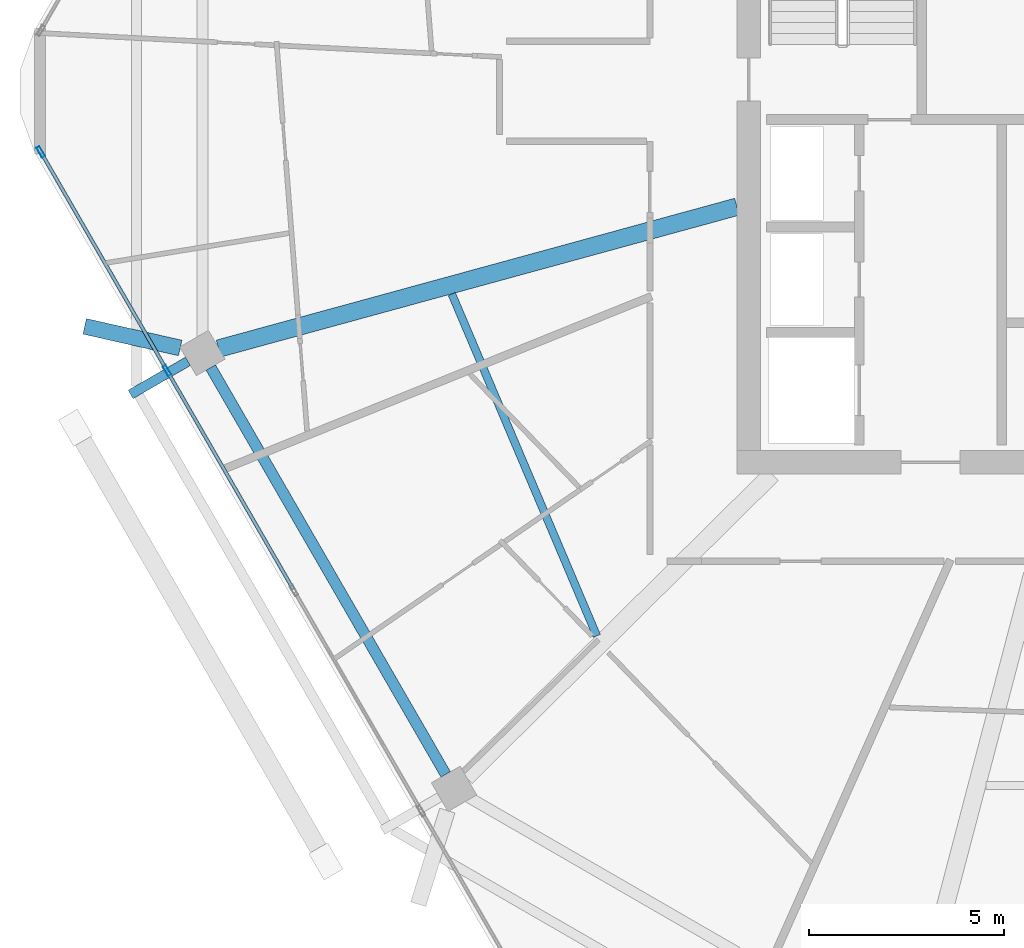
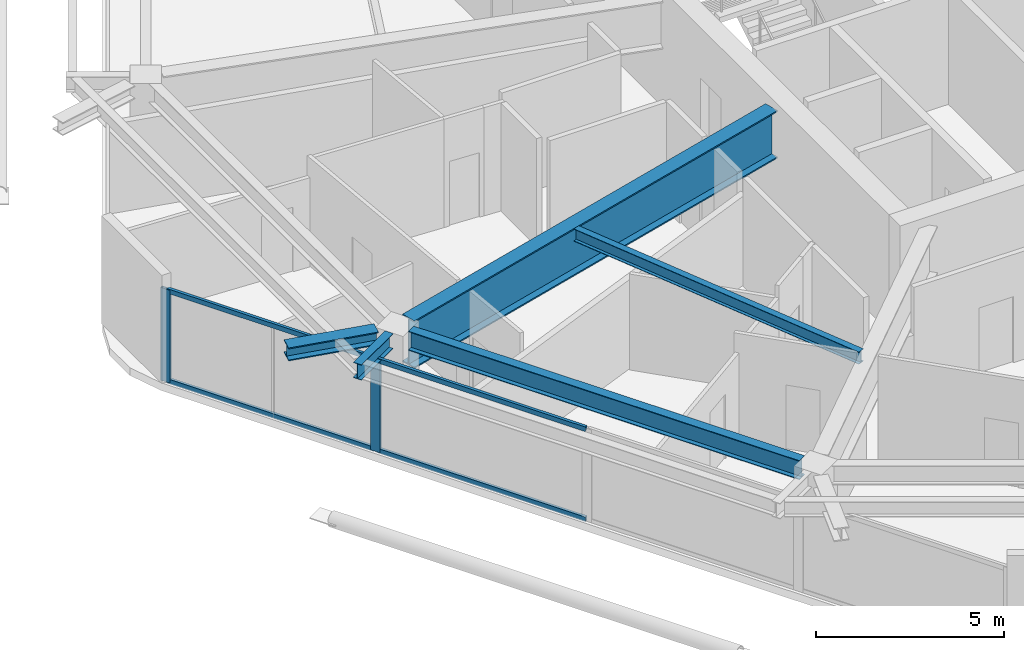
# One storey, part 6 of 26: 6 members, 5 beams, 1 element without a shape of its own.
"""IFC4 building model written with IfcOpenShell, lengths in metres."""

import ifcopenshell
import ifcopenshell.guid

model = None  # the IFC model being written
_history = None  # IfcOwnerHistory: only IFC2X3 demands one
_inside = {}  # id of a spatial element -> (the spatial element, [elements in it])
_under = {}  # id of a project, library or spatial element -> (it, [spatial elements below it])
_declared = {}  # id of a project -> (the project, [libraries it declares])
_typed = {}  # id of a type object -> (the type object, [elements of that type])
_made_of = {}  # id of a material, layer set ... -> (it, [elements and type objects made of it])


def new_model(schema):
    """Start an empty IFC model of exactly this schema.

    Asked for "IFC4X3", IfcOpenShell would pick the latest addendum, in which some entities
    have other attributes; the version numbers below select the first issue.
    IFC2X3 requires an IfcOwnerHistory on every rooted entity: one is made here for all.
    """
    global model, _history
    if schema == "IFC4X3":
        model = ifcopenshell.file(schema_version=(4, 3, 0, 0))
    else:
        model = ifcopenshell.file(schema=schema)
    _inside.clear()
    _under.clear()
    _declared.clear()
    _typed.clear()
    _made_of.clear()
    _history = None
    if model.schema == "IFC2X3":
        org = make("IfcOrganization", Name="unknown")
        user = make(
            "IfcPersonAndOrganization",
            ThePerson=make("IfcPerson", FamilyName="unknown"),
            TheOrganization=org,
        )
        app = make(
            "IfcApplication",
            ApplicationDeveloper=org,
            Version="unknown",
            ApplicationFullName="unknown",
            ApplicationIdentifier="unknown",
        )
        _history = make(
            "IfcOwnerHistory",
            OwningUser=user,
            OwningApplication=app,
            ChangeAction="ADDED",
            CreationDate=0,
        )
    return model


def make(cls, **values):
    """One entity of the class cls with the attributes given. An attribute that is None is left unset."""
    return model.create_entity(
        cls, **{name: value for name, value in values.items() if value is not None}
    )


def rooted(cls, **values):
    """An entity with a GlobalId (a new one), such as an element, a storey or a relation."""
    return make(cls, GlobalId=ifcopenshell.guid.new(), OwnerHistory=_history, **values)


def si_unit(unit_type, name, prefix=None):
    """IfcSIUnit, for example si_unit("LENGTHUNIT", "METRE", prefix="MILLI")."""
    return make("IfcSIUnit", UnitType=unit_type, Prefix=prefix, Name=name)


def assignment(units):
    """IfcUnitAssignment: the units of a project."""
    return None if units is None else make("IfcUnitAssignment", Units=units)


def point(xyz):
    """IfcCartesianPoint."""
    return None if xyz is None else make("IfcCartesianPoint", Coordinates=xyz)


def direction(xyz):
    """IfcDirection."""
    return None if xyz is None else make("IfcDirection", DirectionRatios=xyz)


def frame(location, z_axis=None, x_axis=None):
    """IfcAxis2Placement3D, a coordinate frame: its origin and axes. An axis left out is left unset."""
    return make(
        "IfcAxis2Placement3D",
        Location=point(location),
        Axis=direction(z_axis),
        RefDirection=direction(x_axis),
    )


def frame_2d(location, x_axis=None):
    """IfcAxis2Placement2D, a coordinate frame in the plane: its origin and x axis."""
    return make(
        "IfcAxis2Placement2D", Location=point(location), RefDirection=direction(x_axis)
    )


def origin():
    """The frame at (0, 0, 0) with its axes left unset."""
    return frame((0.0, 0.0, 0.0))


def origin_2d():
    """The frame at (0, 0) in the plane with its x axis left unset."""
    return frame_2d((0.0, 0.0))


def place(relative_to, where):
    """IfcLocalPlacement: puts the frame where relative to a parent placement (None: the world)."""
    return make(
        "IfcLocalPlacement", PlacementRelTo=relative_to, RelativePlacement=where
    )


def context(
    kind, dimensions, precision=None, world=None, true_north=None, identifier=None
):
    """IfcGeometricRepresentationContext, for example the 3D "Model" context."""
    return make(
        "IfcGeometricRepresentationContext",
        ContextIdentifier=identifier,
        ContextType=kind,
        CoordinateSpaceDimension=dimensions,
        Precision=precision,
        WorldCoordinateSystem=world,
        TrueNorth=true_north,
    )


def subcontext(parent, identifier, kind, view, scale=None):
    """IfcGeometricRepresentationSubContext, for example "Body" below "Model"."""
    return make(
        "IfcGeometricRepresentationSubContext",
        ContextIdentifier=identifier,
        ContextType=kind,
        ParentContext=parent,
        TargetScale=scale,
        TargetView=view,
    )


def project(units=None, contexts=None):
    """IfcProject with its units and contexts."""
    return rooted(
        "IfcProject",
        Name="project",
        RepresentationContexts=contexts,
        UnitsInContext=assignment(units),
    )


def spatial(cls, under=None, at=None, **own):
    """A site, building, storey or space (cls), placed at a placement, below another one or the project."""
    s = rooted(cls, ObjectPlacement=at, **own)
    if under is not None:
        _under.setdefault(under.id(), (under, []))[1].append(s)
    return s


def profile(cls, at=None, kind="AREA", **sizes):
    """A parametric profile (cls). Its sizes go by their IFC names, for example OverallWidth=200.0."""
    return make(cls, ProfileType=kind, Position=at, **sizes)


def hollow_rectangle(**sizes):
    """IfcRectangleHollowProfileDef."""
    return profile("IfcRectangleHollowProfileDef", **sizes)


def i_section(**sizes):
    """IfcIShapeProfileDef."""
    return profile("IfcIShapeProfileDef", **sizes)


def extrude(swept, where, along, depth):
    """IfcExtrudedAreaSolid: the profile swept, set in the frame where, extruded along a direction by depth."""
    return make(
        "IfcExtrudedAreaSolid",
        SweptArea=swept,
        Position=where,
        ExtrudedDirection=direction(along),
        Depth=depth,
    )


def shape(context_of_items, identifier, shape_type, items):
    """IfcShapeRepresentation: the items that make up one representation, for example the "Body"."""
    return make(
        "IfcShapeRepresentation",
        ContextOfItems=context_of_items,
        RepresentationIdentifier=identifier,
        RepresentationType=shape_type,
        Items=items,
    )


def material(Name=None, Category=None):
    """IfcMaterial."""
    return make("IfcMaterial", Name=Name, Category=Category)


def material_profile(
    of_material, cross_section, Name=None, Category=None, Priority=None
):
    """IfcMaterialProfile: a cross section and its material."""
    return make(
        "IfcMaterialProfile",
        Name=Name,
        Material=of_material,
        Profile=cross_section,
        Priority=Priority,
        Category=Category,
    )


def profile_set(profiles, Name=None, composite=None):
    """IfcMaterialProfileSet."""
    return make(
        "IfcMaterialProfileSet",
        Name=Name,
        MaterialProfiles=profiles,
        CompositeProfile=composite,
    )


def made_of(thing, what):
    """Note that an element or type object is made of a material, layer set ...; save() writes the relation."""
    if what is not None:
        _made_of.setdefault(what.id(), (what, []))[1].append(thing)
    return thing


def type_object(cls, material=None, **own):
    """A type object (cls), such as IfcWallType, which elements share."""
    return made_of(rooted(cls, **own), material)


def element(
    cls,
    number,
    at=None,
    inside=None,
    cuts=None,
    type_object=None,
    material=None,
    context=None,
    identifier="Body",
    shape_type=None,
    held_by="IfcProductDefinitionShape",
    body=None,
    shapes=None,
    **own,
):
    """One element of the class cls, such as IfcWall. Its Tag is "e" and its number.

    at: its placement. inside: the storey or other place that contains it. cuts: it is an
    opening in that element (IfcRelVoidsElement). A single representation is given by context,
    identifier, shape_type and body (its items); several are given by shapes. held_by: the class
    of the entity that holds the representations. save() writes the other relations.
    """
    e = rooted(cls, Tag="e%d" % number, ObjectPlacement=at, **own)
    if body is not None:
        shapes = [shape(context, identifier, shape_type, body)]
    if shapes is not None:
        e.Representation = make(held_by, Representations=shapes)
    if inside is not None:
        _inside.setdefault(inside.id(), (inside, []))[1].append(e)
    if cuts is not None:
        rooted(
            "IfcRelVoidsElement", RelatingBuildingElement=cuts, RelatedOpeningElement=e
        )
    if type_object is not None:
        _typed.setdefault(type_object.id(), (type_object, []))[1].append(e)
    return made_of(e, material)


def aggregate(whole, parts):
    """IfcRelAggregates: a whole, such as a stair, and the parts it consists of."""
    return rooted("IfcRelAggregates", RelatingObject=whole, RelatedObjects=parts)


def save(model, path):
    """Write the relations noted so far, then the file.

    IfcRelAggregates (storeys below a building ...), IfcRelContainedInSpatialStructure (elements
    in a storey), IfcRelDefinesByType, IfcRelAssociatesMaterial and IfcRelDeclares: one each for
    every whole, place, type object, material and project.
    """
    for whole, parts in _under.values():
        aggregate(whole, parts)
    for where, things in _inside.values():
        rooted(
            "IfcRelContainedInSpatialStructure",
            RelatedElements=things,
            RelatingStructure=where,
        )
    for kind, things in _typed.values():
        rooted("IfcRelDefinesByType", RelatedObjects=things, RelatingType=kind)
    for what, things in _made_of.values():
        rooted("IfcRelAssociatesMaterial", RelatedObjects=things, RelatingMaterial=what)
    for by, libraries in _declared.values():
        rooted("IfcRelDeclares", RelatingContext=by, RelatedDefinitions=libraries)
    model.write(path)


model = new_model("IFC4")

# Units and contexts
model_context = context("Model", 3, precision=1e-05, world=origin(), true_north=direction((0.0, 1.0)))
body_context = subcontext(model_context, "Body", "Model", "MODEL_VIEW")
ifc_project = project(units=[si_unit("LENGTHUNIT", "METRE"), si_unit("AREAUNIT", "SQUARE_METRE"), si_unit("VOLUMEUNIT", "CUBIC_METRE"), si_unit("PLANEANGLEUNIT", "RADIAN"), si_unit("MASSUNIT", "GRAM", prefix="KILO")], contexts=[model_context])

# Site, building, storey
site_placement = place(None, origin())
site = spatial("IfcSite", under=ifc_project, at=site_placement, CompositionType="ELEMENT")
building_placement = place(site_placement, origin())
building = spatial("IfcBuilding", under=site, at=building_placement, Name="Zuhravey Tower", CompositionType="ELEMENT")
storey_placement = place(building_placement, frame((0.0, 0.0, 299.60009765625)))
storey = spatial("IfcBuildingStorey", under=building, at=storey_placement, Name="L76", CompositionType="ELEMENT", Elevation=299.60009765625)

# Curtain wall, members
ifc_material_1 = material(Name="Thermally broken anodised aluminium", Category="aluminium")
curtain_wall_type = type_object("IfcCurtainWallType", Name="Zone 3-4 High-Rise Curtain Wall CW4", PredefinedType="NOTDEFINED", material=ifc_material_1)
curtain_wall_placement = place(storey_placement, origin())
curtain_wall = element("IfcCurtainWall", 1, at=curtain_wall_placement, inside=storey, type_object=curtain_wall_type, Name="L76 CW4 CW-L76-F4-1", PredefinedType="NOTDEFINED")
ifc_material_2 = material(Name="Anodised aluminium", Category="aluminium")
ifc_material_profile_1 = material_profile(ifc_material_2, hollow_rectangle(XDim=0.090087890625, YDim=0.284912109375, WallThickness=0.0048828125, at=origin_2d()), Name="ALU-RHS-90x285x5")
ifc_profile_set_1 = profile_set([ifc_material_profile_1], Name="Anodised aluminium")
member_type_1 = type_object("IfcMemberType", Name="Curtain-Wall Mullion 90x180", PredefinedType="MULLION", material=ifc_profile_set_1)
member_1_placement = place(storey_placement, frame((10.608154296875, 24.852783203125, 0.0), z_axis=(0.0, 0.0, 1.0), x_axis=(-0.866024851021, -0.500000957414, 0.0)))
member_1 = element("IfcMember", 2, at=member_1_placement, type_object=member_type_1, Name="CW4 mullion 4", PredefinedType="MULLION", context=body_context, shape_type="SweptSolid", body=[
    extrude(hollow_rectangle(XDim=0.090087890625, YDim=0.284912109375, WallThickness=0.0048828125, at=origin_2d()), origin(), (0.0, 0.0, 1.0), 3.02001953125),
])
member_2_placement = place(storey_placement, frame((7.37744140625, 30.448486328125, 0.0), z_axis=(0.0, 0.0, 1.0), x_axis=(-0.866024851021, -0.500000957414, 0.0)))
member_2 = element("IfcMember", 3, at=member_2_placement, type_object=member_type_1, Name="CW4 mullion 5", PredefinedType="MULLION", context=body_context, shape_type="SweptSolid", body=[
    extrude(hollow_rectangle(XDim=0.090087890625, YDim=0.284912109375, WallThickness=0.0048828125, at=origin_2d()), origin(), (0.0, 0.0, 1.0), 3.02001953125),
])
ifc_material_profile_2 = material_profile(ifc_material_2, hollow_rectangle(XDim=0.090087890625, YDim=0.14990234375, WallThickness=0.0048828125, at=origin_2d()), Name="ALU-RHS-90x150x5")
ifc_profile_set_2 = profile_set([ifc_material_profile_2], Name="Anodised aluminium")
member_type_2 = type_object("IfcMemberType", Name="Curtain-Wall Transom 90x150", PredefinedType="USERDEFINED", material=ifc_profile_set_2)
member_3_placement = place(storey_placement, frame((13.8388671875, 19.257080078125, 0.044921875), z_axis=(-0.499998017366, 0.866026548456, 0.0), x_axis=(-0.866026548456, -0.499998017366, 0.0)))
member_3 = element("IfcMember", 4, at=member_3_placement, type_object=member_type_2, Name="CW4 transom 3.1", ObjectType="TRANSOM", PredefinedType="USERDEFINED", context=body_context, shape_type="SweptSolid", body=[
    extrude(hollow_rectangle(XDim=0.090087890625, YDim=0.14990234375, WallThickness=0.0048828125, at=origin_2d()), origin(), (0.0, 0.0, 1.0), 6.41650390625),
])
member_4_placement = place(storey_placement, frame((13.8388671875, 19.257080078125, 2.974853515625), z_axis=(-0.499998017366, 0.866026548456, 0.0), x_axis=(-0.866026548456, -0.499998017366, 0.0)))
member_4 = element("IfcMember", 5, at=member_4_placement, type_object=member_type_2, Name="CW4 transom 3.2", ObjectType="TRANSOM", PredefinedType="USERDEFINED", context=body_context, shape_type="SweptSolid", body=[
    extrude(hollow_rectangle(XDim=0.090087890625, YDim=0.14990234375, WallThickness=0.0048828125, at=origin_2d()), origin(), (0.0, 0.0, 1.0), 6.41650390625),
])
member_5_placement = place(storey_placement, frame((10.585693359375, 24.891845703125, 0.044921875), z_axis=(-0.500008810174, 0.866020317169, 0.0), x_axis=(-0.866020317169, -0.500008810174, 0.0)))
member_5 = element("IfcMember", 6, at=member_5_placement, type_object=member_type_2, Name="CW4 transom 4.1", ObjectType="TRANSOM", PredefinedType="USERDEFINED", context=body_context, shape_type="SweptSolid", body=[
    extrude(hollow_rectangle(XDim=0.090087890625, YDim=0.14990234375, WallThickness=0.0048828125, at=origin_2d()), origin(), (0.0, 0.0, 1.0), 6.37158203125),
])
member_6_placement = place(storey_placement, frame((10.585693359375, 24.891845703125, 2.974853515625), z_axis=(-0.500008810174, 0.866020317169, 0.0), x_axis=(-0.866020317169, -0.500008810174, 0.0)))
member_6 = element("IfcMember", 7, at=member_6_placement, type_object=member_type_2, Name="CW4 transom 4.2", ObjectType="TRANSOM", PredefinedType="USERDEFINED", context=body_context, shape_type="SweptSolid", body=[
    extrude(hollow_rectangle(XDim=0.090087890625, YDim=0.14990234375, WallThickness=0.0048828125, at=origin_2d()), origin(), (0.0, 0.0, 1.0), 6.37158203125),
])
aggregate(curtain_wall, [member_1, member_2, member_3, member_4, member_5, member_6])

# Beams
ifc_material_3 = material(Name="Steel SM460", Category="steel")
ifc_material_profile_3 = material_profile(ifc_material_3, i_section(OverallWidth=0.406982421875, OverallDepth=0.427978515625, WebThickness=0.02001953125, FlangeThickness=0.034912109375, at=origin_2d()), Name="H-428x407x20x35")
ifc_profile_set_3 = profile_set([ifc_material_profile_3], Name="Steel SM460")
beam_type_1 = type_object("IfcBeamType", Name="Exoskeleton Node Tie Beam H428x407", PredefinedType="BEAM", material=ifc_profile_set_3)
beam_1_placement = place(storey_placement, frame((10.947021484375, 25.429931640625, 3.305908203125), z_axis=(-0.975322792155, 0.220783720192, 0.0), x_axis=(-0.220783720192, -0.975322792155, 0.0)))
element("IfcBeam", 8, at=beam_1_placement, inside=storey, type_object=beam_type_1, Name="L76 Exoskeleton Node Tie NT1-07", PredefinedType="BEAM", context=body_context, shape_type="SweptSolid", body=[
    extrude(i_section(OverallWidth=0.406982421875, OverallDepth=0.427978515625, WebThickness=0.02001953125, FlangeThickness=0.034912109375, at=origin_2d()), origin(), (0.0, 0.0, 1.0), 2.5078125),
])
ifc_material_profile_4 = material_profile(ifc_material_3, i_section(OverallWidth=0.449951171875, OverallDepth=1.550048828125, WebThickness=0.02587890625, FlangeThickness=0.0419921875, at=origin_2d()), Name="H-1550x450x26x42")
ifc_profile_set_4 = profile_set([ifc_material_profile_4], Name="Steel SM460")
beam_type_2 = type_object("IfcBeamType", Name="Heavy Setback Transfer Girder H1550x450", PredefinedType="BEAM", material=ifc_profile_set_4)
beam_2_placement = place(storey_placement, frame((25.197021484375, 29.04443359375, 2.744873046875), z_axis=(-0.964549305009, -0.263902705947, 0.0), x_axis=(0.263902705947, -0.964549305009, 0.0)))
element("IfcBeam", 9, at=beam_2_placement, inside=storey, type_object=beam_type_2, Name="L76 TG3 BM-L76-RAD-07", PredefinedType="BEAM", context=body_context, shape_type="SweptSolid", body=[
    extrude(i_section(OverallWidth=0.449951171875, OverallDepth=1.550048828125, WebThickness=0.02587890625, FlangeThickness=0.0419921875, at=origin_2d()), origin(), (0.0, 0.0, 1.0), 13.756591796875),
])
ifc_material_4 = material(Name="Steel SM355", Category="steel")
ifc_material_profile_5 = material_profile(ifc_material_4, i_section(OverallWidth=0.280029296875, OverallDepth=0.6201171875, WebThickness=0.011962890625, FlangeThickness=0.02001953125, at=origin_2d()), Name="H-620x280x12x20")
ifc_profile_set_5 = profile_set([ifc_material_profile_5], Name="Steel SM355")
beam_type_3 = type_object("IfcBeamType", Name="Perimeter Ring Beam H620x280", PredefinedType="BEAM", material=ifc_profile_set_5)
beam_3_placement = place(storey_placement, frame((11.7294921875, 24.930419921875, 3.2099609375), z_axis=(0.500005971936, -0.866021955858, 0.0), x_axis=(0.866021955858, 0.500005971936, 0.0)))
element("IfcBeam", 10, at=beam_3_placement, inside=storey, type_object=beam_type_3, Name="L76 PB3 BM-L76-PB-07", PredefinedType="BEAM", context=body_context, shape_type="SweptSolid", body=[
    extrude(i_section(OverallWidth=0.280029296875, OverallDepth=0.6201171875, WebThickness=0.011962890625, FlangeThickness=0.02001953125, at=origin_2d()), origin(), (0.0, 0.0, 1.0), 12.025634765625),
])
ifc_material_profile_6 = material_profile(ifc_material_4, i_section(OverallWidth=0.199951171875, OverallDepth=0.39990234375, WebThickness=0.008056640625, FlangeThickness=0.012939453125, at=origin_2d()), Name="H-400x200x8x13")
ifc_profile_set_6 = profile_set([ifc_material_profile_6], Name="Steel SM355")
beam_type_4 = type_object("IfcBeamType", Name="Secondary Floor Joist H400x200", PredefinedType="JOIST", material=ifc_profile_set_6)
beam_4_placement = place(storey_placement, frame((17.8984375, 26.812255859375, 3.31982421875), z_axis=(0.39039551833, -0.92064723932, 0.0), x_axis=(0.92064723932, 0.39039551833, 0.0)))
element("IfcBeam", 11, at=beam_4_placement, inside=storey, type_object=beam_type_4, Name="L76 SJ2 BM-L76-SJ-07-1", PredefinedType="JOIST", context=body_context, shape_type="SweptSolid", body=[
    extrude(i_section(OverallWidth=0.199951171875, OverallDepth=0.39990234375, WebThickness=0.008056640625, FlangeThickness=0.012939453125, at=origin_2d()), origin(), (0.0, 0.0, 1.0), 9.5068359375),
])
ifc_material_profile_7 = material_profile(ifc_material_4, i_section(OverallWidth=0.25, OverallDepth=0.5, WebThickness=0.010009765625, FlangeThickness=0.01611328125, at=origin_2d()), Name="H-500x250x10x16")
ifc_profile_set_7 = profile_set([ifc_material_profile_7], Name="Steel SM355")
beam_type_5 = type_object("IfcBeamType", Name="Tray Cantilever Spandrel H500x250", PredefinedType="SPANDREL", material=ifc_profile_set_7)
beam_5_placement = place(storey_placement, frame((11.14404296875, 25.086669921875, 3.27001953125), z_axis=(-0.86605817518, -0.499943233981, 0.0), x_axis=(0.499943233981, -0.86605817518, 0.0)))
element("IfcBeam", 12, at=beam_5_placement, inside=storey, type_object=beam_type_5, Name="L76 Sky-Tray Cantilever Arm TSB1-R07", PredefinedType="SPANDREL", context=body_context, shape_type="SweptSolid", body=[
    extrude(i_section(OverallWidth=0.25, OverallDepth=0.5, WebThickness=0.010009765625, FlangeThickness=0.01611328125, at=origin_2d()), origin(), (0.0, 0.0, 1.0), 1.691162109375),
])

save(model, "model.ifc")
